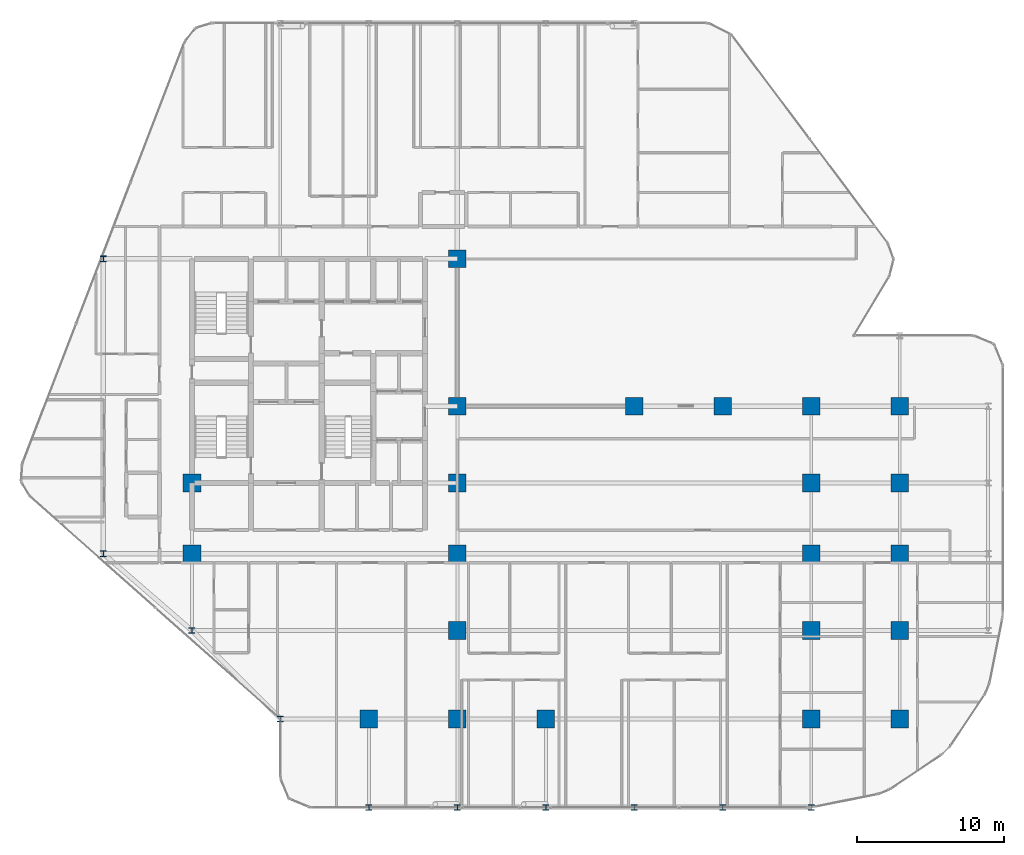
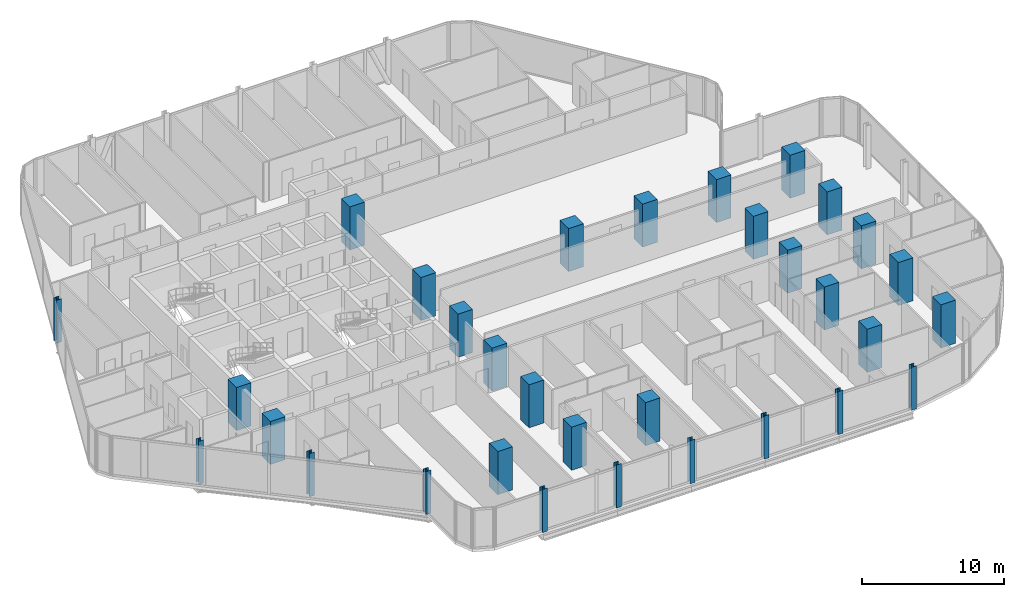
# One storey, part 1 of 33: 32 columns.
"""IFC4 building model written with IfcOpenShell, lengths in metres."""

import ifcopenshell
import ifcopenshell.guid

model = None  # the IFC model being written
_history = None  # IfcOwnerHistory: only IFC2X3 demands one
_inside = {}  # id of a spatial element -> (the spatial element, [elements in it])
_under = {}  # id of a project, library or spatial element -> (it, [spatial elements below it])
_declared = {}  # id of a project -> (the project, [libraries it declares])
_typed = {}  # id of a type object -> (the type object, [elements of that type])
_made_of = {}  # id of a material, layer set ... -> (it, [elements and type objects made of it])


def new_model(schema):
    """Start an empty IFC model of exactly this schema.

    Asked for "IFC4X3", IfcOpenShell would pick the latest addendum, in which some entities
    have other attributes; the version numbers below select the first issue.
    IFC2X3 requires an IfcOwnerHistory on every rooted entity: one is made here for all.
    """
    global model, _history
    if schema == "IFC4X3":
        model = ifcopenshell.file(schema_version=(4, 3, 0, 0))
    else:
        model = ifcopenshell.file(schema=schema)
    _inside.clear()
    _under.clear()
    _declared.clear()
    _typed.clear()
    _made_of.clear()
    _history = None
    if model.schema == "IFC2X3":
        org = make("IfcOrganization", Name="unknown")
        user = make(
            "IfcPersonAndOrganization",
            ThePerson=make("IfcPerson", FamilyName="unknown"),
            TheOrganization=org,
        )
        app = make(
            "IfcApplication",
            ApplicationDeveloper=org,
            Version="unknown",
            ApplicationFullName="unknown",
            ApplicationIdentifier="unknown",
        )
        _history = make(
            "IfcOwnerHistory",
            OwningUser=user,
            OwningApplication=app,
            ChangeAction="ADDED",
            CreationDate=0,
        )
    return model


def make(cls, **values):
    """One entity of the class cls with the attributes given. An attribute that is None is left unset."""
    return model.create_entity(
        cls, **{name: value for name, value in values.items() if value is not None}
    )


def rooted(cls, **values):
    """An entity with a GlobalId (a new one), such as an element, a storey or a relation."""
    return make(cls, GlobalId=ifcopenshell.guid.new(), OwnerHistory=_history, **values)


def si_unit(unit_type, name, prefix=None):
    """IfcSIUnit, for example si_unit("LENGTHUNIT", "METRE", prefix="MILLI")."""
    return make("IfcSIUnit", UnitType=unit_type, Prefix=prefix, Name=name)


def assignment(units):
    """IfcUnitAssignment: the units of a project."""
    return None if units is None else make("IfcUnitAssignment", Units=units)


def point(xyz):
    """IfcCartesianPoint."""
    return None if xyz is None else make("IfcCartesianPoint", Coordinates=xyz)


def direction(xyz):
    """IfcDirection."""
    return None if xyz is None else make("IfcDirection", DirectionRatios=xyz)


def frame(location, z_axis=None, x_axis=None):
    """IfcAxis2Placement3D, a coordinate frame: its origin and axes. An axis left out is left unset."""
    return make(
        "IfcAxis2Placement3D",
        Location=point(location),
        Axis=direction(z_axis),
        RefDirection=direction(x_axis),
    )


def frame_2d(location, x_axis=None):
    """IfcAxis2Placement2D, a coordinate frame in the plane: its origin and x axis."""
    return make(
        "IfcAxis2Placement2D", Location=point(location), RefDirection=direction(x_axis)
    )


def origin():
    """The frame at (0, 0, 0) with its axes left unset."""
    return frame((0.0, 0.0, 0.0))


def origin_2d():
    """The frame at (0, 0) in the plane with its x axis left unset."""
    return frame_2d((0.0, 0.0))


def place(relative_to, where):
    """IfcLocalPlacement: puts the frame where relative to a parent placement (None: the world)."""
    return make(
        "IfcLocalPlacement", PlacementRelTo=relative_to, RelativePlacement=where
    )


def context(
    kind, dimensions, precision=None, world=None, true_north=None, identifier=None
):
    """IfcGeometricRepresentationContext, for example the 3D "Model" context."""
    return make(
        "IfcGeometricRepresentationContext",
        ContextIdentifier=identifier,
        ContextType=kind,
        CoordinateSpaceDimension=dimensions,
        Precision=precision,
        WorldCoordinateSystem=world,
        TrueNorth=true_north,
    )


def subcontext(parent, identifier, kind, view, scale=None):
    """IfcGeometricRepresentationSubContext, for example "Body" below "Model"."""
    return make(
        "IfcGeometricRepresentationSubContext",
        ContextIdentifier=identifier,
        ContextType=kind,
        ParentContext=parent,
        TargetScale=scale,
        TargetView=view,
    )


def project(units=None, contexts=None):
    """IfcProject with its units and contexts."""
    return rooted(
        "IfcProject",
        Name="project",
        RepresentationContexts=contexts,
        UnitsInContext=assignment(units),
    )


def spatial(cls, under=None, at=None, **own):
    """A site, building, storey or space (cls), placed at a placement, below another one or the project."""
    s = rooted(cls, ObjectPlacement=at, **own)
    if under is not None:
        _under.setdefault(under.id(), (under, []))[1].append(s)
    return s


def profile(cls, at=None, kind="AREA", **sizes):
    """A parametric profile (cls). Its sizes go by their IFC names, for example OverallWidth=200.0."""
    return make(cls, ProfileType=kind, Position=at, **sizes)


def rectangle(**sizes):
    """IfcRectangleProfileDef."""
    return profile("IfcRectangleProfileDef", **sizes)


def i_section(**sizes):
    """IfcIShapeProfileDef."""
    return profile("IfcIShapeProfileDef", **sizes)


def extrude(swept, where, along, depth):
    """IfcExtrudedAreaSolid: the profile swept, set in the frame where, extruded along a direction by depth."""
    return make(
        "IfcExtrudedAreaSolid",
        SweptArea=swept,
        Position=where,
        ExtrudedDirection=direction(along),
        Depth=depth,
    )


def shape(context_of_items, identifier, shape_type, items):
    """IfcShapeRepresentation: the items that make up one representation, for example the "Body"."""
    return make(
        "IfcShapeRepresentation",
        ContextOfItems=context_of_items,
        RepresentationIdentifier=identifier,
        RepresentationType=shape_type,
        Items=items,
    )


def material(Name=None, Category=None):
    """IfcMaterial."""
    return make("IfcMaterial", Name=Name, Category=Category)


def material_profile(
    of_material, cross_section, Name=None, Category=None, Priority=None
):
    """IfcMaterialProfile: a cross section and its material."""
    return make(
        "IfcMaterialProfile",
        Name=Name,
        Material=of_material,
        Profile=cross_section,
        Priority=Priority,
        Category=Category,
    )


def profile_set(profiles, Name=None, composite=None):
    """IfcMaterialProfileSet."""
    return make(
        "IfcMaterialProfileSet",
        Name=Name,
        MaterialProfiles=profiles,
        CompositeProfile=composite,
    )


def made_of(thing, what):
    """Note that an element or type object is made of a material, layer set ...; save() writes the relation."""
    if what is not None:
        _made_of.setdefault(what.id(), (what, []))[1].append(thing)
    return thing


def type_object(cls, material=None, **own):
    """A type object (cls), such as IfcWallType, which elements share."""
    return made_of(rooted(cls, **own), material)


def element(
    cls,
    number,
    at=None,
    inside=None,
    cuts=None,
    type_object=None,
    material=None,
    context=None,
    identifier="Body",
    shape_type=None,
    held_by="IfcProductDefinitionShape",
    body=None,
    shapes=None,
    **own,
):
    """One element of the class cls, such as IfcWall. Its Tag is "e" and its number.

    at: its placement. inside: the storey or other place that contains it. cuts: it is an
    opening in that element (IfcRelVoidsElement). A single representation is given by context,
    identifier, shape_type and body (its items); several are given by shapes. held_by: the class
    of the entity that holds the representations. save() writes the other relations.
    """
    e = rooted(cls, Tag="e%d" % number, ObjectPlacement=at, **own)
    if body is not None:
        shapes = [shape(context, identifier, shape_type, body)]
    if shapes is not None:
        e.Representation = make(held_by, Representations=shapes)
    if inside is not None:
        _inside.setdefault(inside.id(), (inside, []))[1].append(e)
    if cuts is not None:
        rooted(
            "IfcRelVoidsElement", RelatingBuildingElement=cuts, RelatedOpeningElement=e
        )
    if type_object is not None:
        _typed.setdefault(type_object.id(), (type_object, []))[1].append(e)
    return made_of(e, material)


def aggregate(whole, parts):
    """IfcRelAggregates: a whole, such as a stair, and the parts it consists of."""
    return rooted("IfcRelAggregates", RelatingObject=whole, RelatedObjects=parts)


def save(model, path):
    """Write the relations noted so far, then the file.

    IfcRelAggregates (storeys below a building ...), IfcRelContainedInSpatialStructure (elements
    in a storey), IfcRelDefinesByType, IfcRelAssociatesMaterial and IfcRelDeclares: one each for
    every whole, place, type object, material and project.
    """
    for whole, parts in _under.values():
        aggregate(whole, parts)
    for where, things in _inside.values():
        rooted(
            "IfcRelContainedInSpatialStructure",
            RelatedElements=things,
            RelatingStructure=where,
        )
    for kind, things in _typed.values():
        rooted("IfcRelDefinesByType", RelatedObjects=things, RelatingType=kind)
    for what, things in _made_of.values():
        rooted("IfcRelAssociatesMaterial", RelatedObjects=things, RelatingMaterial=what)
    for by, libraries in _declared.values():
        rooted("IfcRelDeclares", RelatingContext=by, RelatedDefinitions=libraries)
    model.write(path)


model = new_model("IFC4")

# Units and contexts
model_context = context("Model", 3, precision=1e-05, world=origin(), true_north=direction((0.0, 1.0)))
body_context = subcontext(model_context, "Body", "Model", "MODEL_VIEW")
ifc_project = project(units=[si_unit("LENGTHUNIT", "METRE"), si_unit("AREAUNIT", "SQUARE_METRE"), si_unit("VOLUMEUNIT", "CUBIC_METRE"), si_unit("PLANEANGLEUNIT", "RADIAN"), si_unit("MASSUNIT", "GRAM", prefix="KILO")], contexts=[model_context])

# Site, building, storey
site_placement = place(None, origin())
site = spatial("IfcSite", under=ifc_project, at=site_placement, CompositionType="ELEMENT")
building_placement = place(site_placement, origin())
building = spatial("IfcBuilding", under=site, at=building_placement, Name="Keshet Zoharim Tower", CompositionType="ELEMENT")
storey_placement = place(building_placement, frame((0.0, 0.0, 73.800048828125)))
storey = spatial("IfcBuildingStorey", under=building, at=storey_placement, Name="L17", CompositionType="ELEMENT", Elevation=73.800048828125)

# Columns
ifc_material_1 = material(Name="Steel S355", Category="steel")
ifc_material_profile_1 = material_profile(ifc_material_1, i_section(OverallWidth=0.40087890625, OverallDepth=0.39892578125, WebThickness=0.02490234375, FlangeThickness=0.03955078125, FilletRadius=0.014892578125, at=origin_2d()), Name="HD400x314")
ifc_profile_set_1 = profile_set([ifc_material_profile_1], Name="Steel S355")
column_type_1 = type_object("IfcColumnType", Name="COL-HD314", PredefinedType="COLUMN", material=ifc_profile_set_1)
for number, where, z_axis, x_axis, name in (
    (1, (9.0, 17.89990234375, 0.0), (0.0, 0.0, 1.0), (1.0, 0.0, 0.0), "L17 Column 2D"),
    (2, (9.0, 37.89990234375, 0.0), (0.0, 0.0, 1.0), (1.0, 0.0, 0.0), "L17 Column 2H"),
    (3, (15.0, 12.699951171875, 0.0), (0.0, 0.0, 1.0), (1.0, 0.0, 0.0), "L17 Column 3C"),
    (4, (21.0, 6.699951171875, 0.0), (0.0, 0.0, 1.0), (1.0, 0.0, 0.0), "L17 Column 4B"),
    (5, (27.0, 0.699951171875, 0.0), (0.0, 0.0, 1.0), (1.0, 0.0, 0.0), "L17 Column 5A"),
    (6, (33.0, 0.699951171875, 0.0), (0.0, 0.0, 1.0), (1.0, 0.0, 0.0), "L17 Column 6A"),
    (7, (39.0, 0.699951171875, 0.0), (0.0, 0.0, 1.0), (1.0, 0.0, 0.0), "L17 Column 7A"),
    (8, (45.0, 0.699951171875, 0.0), (0.0, 0.0, 1.0), (1.0, 0.0, 0.0), "L17 Column 8A"),
    (9, (51.0, 0.699951171875, 0.0), (0.0, 0.0, 1.0), (1.0, 0.0, 0.0), "L17 Column 9A"),
    (10, (57.0, 0.699951171875, 0.0), (0.0, 0.0, 1.0), (1.0, 0.0, 0.0), "L17 Column 10A"),
):
    element("IfcColumn", number, at=place(storey_placement, frame(where, z_axis=z_axis, x_axis=x_axis)), inside=storey, type_object=column_type_1, Name=name, PredefinedType="COLUMN", context=body_context, shape_type="SweptSolid", body=[
        extrude(i_section(OverallWidth=0.40087890625, OverallDepth=0.39892578125, WebThickness=0.02490234375, FlangeThickness=0.03955078125, FilletRadius=0.014892578125, at=origin_2d()), origin(), (0.0, 0.0, 1.0), 3.699951171875),
    ])
ifc_material_2 = material(Name="Concrete C60/75", Category="concrete")
ifc_material_profile_2 = material_profile(ifc_material_2, rectangle(XDim=1.199951171875, YDim=1.199951171875, at=origin_2d()), Name="RC1200x1200")
ifc_profile_set_2 = profile_set([ifc_material_profile_2], Name="Concrete C60/75")
column_type_2 = type_object("IfcColumnType", Name="COL-RC1200", PredefinedType="COLUMN", material=ifc_profile_set_2)
for number, where, z_axis, x_axis, name in (
    (11, (15.0, 17.89990234375, 0.0), (0.0, 0.0, 1.0), (1.0, 0.0, 0.0), "L17 Column 3D"),
    (12, (15.0, 22.699951171875, 0.0), (0.0, 0.0, 1.0), (1.0, 0.0, 0.0), "L17 Column 3E"),
    (13, (27.0, 6.699951171875, 0.0), (0.0, 0.0, 1.0), (1.0, 0.0, 0.0), "L17 Column 5B"),
    (14, (33.0, 6.699951171875, 0.0), (0.0, 0.0, 1.0), (1.0, 0.0, 0.0), "L17 Column 6B"),
    (15, (33.0, 12.699951171875, 0.0), (0.0, 0.0, 1.0), (1.0, 0.0, 0.0), "L17 Column 6C"),
    (16, (33.0, 17.89990234375, 0.0), (0.0, 0.0, 1.0), (1.0, 0.0, 0.0), "L17 Column 6D"),
    (17, (33.0, 22.699951171875, 0.0), (0.0, 0.0, 1.0), (1.0, 0.0, 0.0), "L17 Column 6E"),
    (18, (33.0, 27.89990234375, 0.0), (0.0, 0.0, 1.0), (1.0, 0.0, 0.0), "L17 Column 6F"),
    (19, (33.0, 37.89990234375, 0.0), (0.0, 0.0, 1.0), (1.0, 0.0, 0.0), "L17 Column 6H"),
    (20, (39.0, 6.699951171875, 0.0), (0.0, 0.0, 1.0), (1.0, 0.0, 0.0), "L17 Column 7B"),
    (21, (45.0, 27.89990234375, 0.0), (0.0, 0.0, 1.0), (1.0, 0.0, 0.0), "L17 Column 8F"),
    (22, (51.0, 27.89990234375, 0.0), (0.0, 0.0, 1.0), (1.0, 0.0, 0.0), "L17 Column 9F"),
    (23, (57.0, 6.699951171875, 0.0), (0.0, 0.0, 1.0), (1.0, 0.0, 0.0), "L17 Column 10B"),
    (24, (57.0, 12.699951171875, 0.0), (0.0, 0.0, 1.0), (1.0, 0.0, 0.0), "L17 Column 10C"),
    (25, (57.0, 17.89990234375, 0.0), (0.0, 0.0, 1.0), (1.0, 0.0, 0.0), "L17 Column 10D"),
    (26, (57.0, 22.699951171875, 0.0), (0.0, 0.0, 1.0), (1.0, 0.0, 0.0), "L17 Column 10E"),
    (27, (57.0, 27.89990234375, 0.0), (0.0, 0.0, 1.0), (1.0, 0.0, 0.0), "L17 Column 10F"),
    (28, (63.0, 6.699951171875, 0.0), (0.0, 0.0, 1.0), (1.0, 0.0, 0.0), "L17 Column 11B"),
    (29, (63.0, 12.699951171875, 0.0), (0.0, 0.0, 1.0), (1.0, 0.0, 0.0), "L17 Column 11C"),
    (30, (63.0, 17.89990234375, 0.0), (0.0, 0.0, 1.0), (1.0, 0.0, 0.0), "L17 Column 11D"),
    (31, (63.0, 22.699951171875, 0.0), (0.0, 0.0, 1.0), (1.0, 0.0, 0.0), "L17 Column 11E"),
    (32, (63.0, 27.89990234375, 0.0), (0.0, 0.0, 1.0), (1.0, 0.0, 0.0), "L17 Column 11F"),
):
    element("IfcColumn", number, at=place(storey_placement, frame(where, z_axis=z_axis, x_axis=x_axis)), inside=storey, type_object=column_type_2, Name=name, PredefinedType="COLUMN", context=body_context, shape_type="SweptSolid", body=[
        extrude(rectangle(XDim=1.199951171875, YDim=1.199951171875, at=origin_2d()), origin(), (0.0, 0.0, 1.0), 3.699951171875),
    ])

save(model, "model.ifc")
